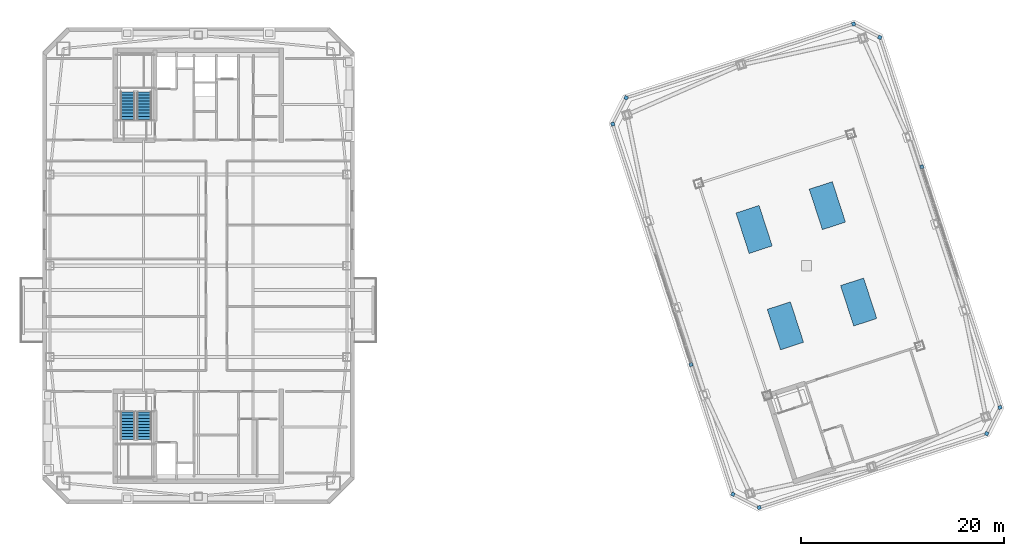
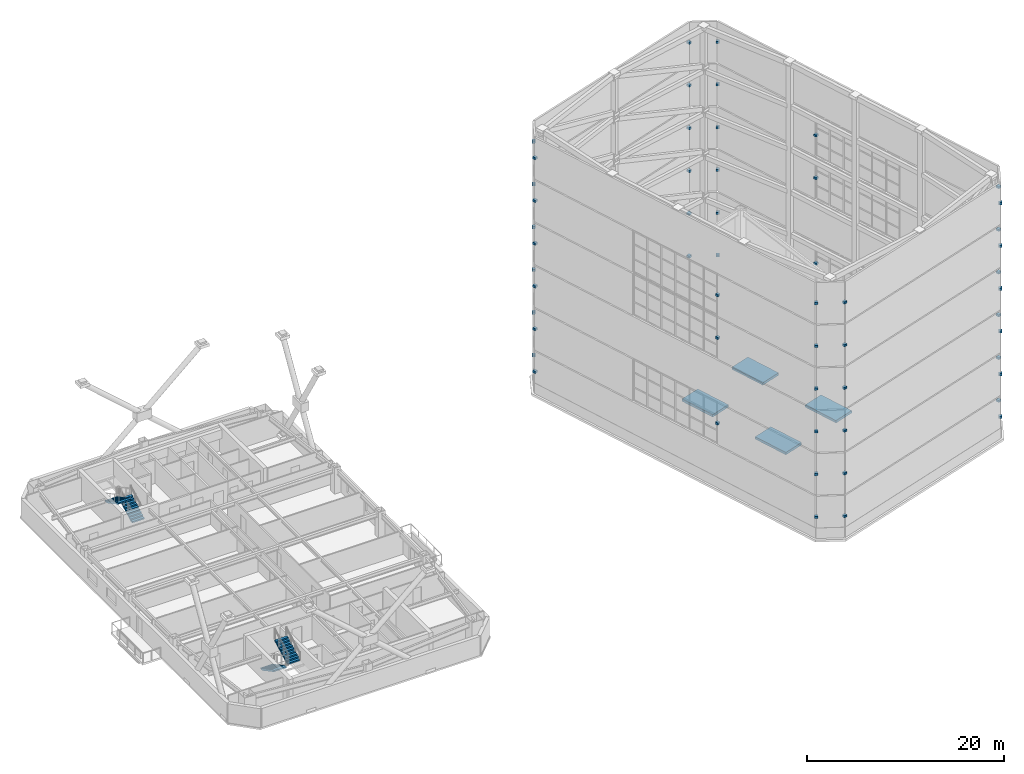
# One storey, part 52 of 56: 58 discrete accessories, 4 stair flights, 2 elements without a shape of their own.
"""IFC4 building model written with IfcOpenShell, lengths in metres."""

from ifc_helpers import new_model, si_unit, direction, frame, origin, origin_2d, place, context, subcontext, project, spatial, polyline, rectangle, outline, extrude, material, type_object, element, aggregate, save


model = new_model("IFC4")

# Units and contexts
model_context = context("Model", 3, precision=1e-05, world=origin(), true_north=direction((0.0, 1.0)))
body_context = subcontext(model_context, "Body", "Model", "MODEL_VIEW")
ifc_project = project(units=[si_unit("LENGTHUNIT", "METRE"), si_unit("AREAUNIT", "SQUARE_METRE"), si_unit("VOLUMEUNIT", "CUBIC_METRE"), si_unit("PLANEANGLEUNIT", "RADIAN"), si_unit("MASSUNIT", "GRAM", prefix="KILO")], contexts=[model_context])

# Site, building, storey
site_placement = place(None, origin())
site = spatial("IfcSite", under=ifc_project, at=site_placement, CompositionType="ELEMENT")
building_placement = place(site_placement, origin())
building = spatial("IfcBuilding", under=site, at=building_placement, Name="Qiaolan Cultural Towers", CompositionType="ELEMENT")
storey_placement = place(building_placement, frame((0.0, 0.0, 250.39990234375)))
storey = spatial("IfcBuildingStorey", under=building, at=storey_placement, Name="L68", CompositionType="ELEMENT", Elevation=250.39990234375)

# Stair, stair flights
ifc_material_1 = material(Name="Concrete C45", Category="concrete")
stair_type = type_object("IfcStairType", Name="STR-CORE-1500", PredefinedType="HALF_TURN_STAIR", material=ifc_material_1)
stair_1_placement = place(storey_placement, origin())
stair_1 = element("IfcStair", 1, at=stair_1_placement, inside=storey, type_object=stair_type, Name="L68 Smokeproof Exit Stair ST-W1", PredefinedType="HALF_TURN_STAIR")
ifc_material_2 = material(Name="Concrete C45", Category="concrete")
stair_flight_type = type_object("IfcStairFlightType", Name="STR-CORE-1500-FL", PredefinedType="STRAIGHT", material=ifc_material_2)
stair_flight_1_placement = place(storey_placement, frame((23.02001953125, 19.550048828125, 0.0), z_axis=(0.0, 0.0, 1.0), x_axis=(0.0, -1.0, 0.0)))
stair_flight_1 = element("IfcStairFlight", 2, at=stair_flight_1_placement, type_object=stair_flight_type, Name="ST-W1 flight 1", NumberOfRisers=10, NumberOfTreads=9, PredefinedType="STRAIGHT", RiserHeight=0.16, TreadLength=0.3, context=body_context, shape_type="SweptSolid", body=[
    extrude(outline(polyline([(0.0, 0.0), (0.0, 0.159912109375), (0.300048828125, 0.159912109375), (0.300048828125, 0.320068359375), (0.60009765625, 0.320068359375), (0.60009765625, 0.47998046875), (0.89990234375, 0.47998046875), (0.89990234375, 0.639892578125), (1.199951171875, 0.639892578125), (1.199951171875, 0.800048828125), (1.5, 0.800048828125), (1.5, 0.9599609375), (1.800048828125, 0.9599609375), (1.800048828125, 1.1201171875), (2.10009765625, 1.1201171875), (2.10009765625, 1.280029296875), (2.39990234375, 1.280029296875), (2.39990234375, 1.43994140625), (2.699951171875, 1.43994140625), (2.699951171875, 1.60009765625), (2.699951171875, 1.27001953125), (0.318603515625, 0.0), (0.0, 0.0)])), frame((0.0, 0.719970703125, 0.0), z_axis=(0.0, -1.0, 0.0), x_axis=(1.0, 0.0, 0.0)), (0.0, 0.0, 1.0), 1.43994140625),
])
stair_flight_2_placement = place(storey_placement, frame((24.659912109375, 16.85009765625, 1.60009765625), z_axis=(0.0, 0.0, 1.0), x_axis=(0.0, 1.0, 0.0)))
stair_flight_2 = element("IfcStairFlight", 3, at=stair_flight_2_placement, type_object=stair_flight_type, Name="ST-W1 flight 2", NumberOfRisers=10, NumberOfTreads=9, PredefinedType="STRAIGHT", RiserHeight=0.16, TreadLength=0.3, context=body_context, shape_type="SweptSolid", body=[
    extrude(outline(polyline([(0.0, 0.0), (0.0, 0.159912109375), (0.300048828125, 0.159912109375), (0.300048828125, 0.320068359375), (0.60009765625, 0.320068359375), (0.60009765625, 0.47998046875), (0.89990234375, 0.47998046875), (0.89990234375, 0.639892578125), (1.199951171875, 0.639892578125), (1.199951171875, 0.800048828125), (1.5, 0.800048828125), (1.5, 0.9599609375), (1.800048828125, 0.9599609375), (1.800048828125, 1.1201171875), (2.10009765625, 1.1201171875), (2.10009765625, 1.280029296875), (2.39990234375, 1.280029296875), (2.39990234375, 1.43994140625), (2.699951171875, 1.43994140625), (2.699951171875, 1.60009765625), (2.699951171875, 1.27001953125), (0.318603515625, 0.0), (0.0, 0.0)])), frame((0.0, 0.719970703125, 0.0), z_axis=(0.0, -1.0, 0.0), x_axis=(1.0, 0.0, 0.0)), (0.0, 0.0, 1.0), 1.43994140625),
])
aggregate(stair_1, [stair_flight_1, stair_flight_2])

stair_2_placement = place(storey_placement, origin())
stair_2 = element("IfcStair", 4, at=stair_2_placement, inside=storey, type_object=stair_type, Name="L68 Smokeproof Exit Stair ST-W2", PredefinedType="HALF_TURN_STAIR")
stair_flight_3_placement = place(storey_placement, frame((24.659912109375, 48.449951171875, 0.0), z_axis=(0.0, 0.0, 1.0), x_axis=(0.0, 1.0, 0.0)))
stair_flight_3 = element("IfcStairFlight", 5, at=stair_flight_3_placement, type_object=stair_flight_type, Name="ST-W2 flight 1", NumberOfRisers=10, NumberOfTreads=9, PredefinedType="STRAIGHT", RiserHeight=0.16, TreadLength=0.3, context=body_context, shape_type="SweptSolid", body=[
    extrude(outline(polyline([(0.0, 0.0), (0.0, 0.159912109375), (0.300048828125, 0.159912109375), (0.300048828125, 0.320068359375), (0.60009765625, 0.320068359375), (0.60009765625, 0.47998046875), (0.89990234375, 0.47998046875), (0.89990234375, 0.639892578125), (1.199951171875, 0.639892578125), (1.199951171875, 0.800048828125), (1.5, 0.800048828125), (1.5, 0.9599609375), (1.800048828125, 0.9599609375), (1.800048828125, 1.1201171875), (2.10009765625, 1.1201171875), (2.10009765625, 1.280029296875), (2.39990234375, 1.280029296875), (2.39990234375, 1.43994140625), (2.699951171875, 1.43994140625), (2.699951171875, 1.60009765625), (2.699951171875, 1.27001953125), (0.318603515625, 0.0), (0.0, 0.0)])), frame((0.0, 0.719970703125, 0.0), z_axis=(0.0, -1.0, 0.0), x_axis=(1.0, 0.0, 0.0)), (0.0, 0.0, 1.0), 1.43994140625),
])
stair_flight_4_placement = place(storey_placement, frame((23.02001953125, 51.14990234375, 1.60009765625), z_axis=(0.0, 0.0, 1.0), x_axis=(0.0, -1.0, 0.0)))
stair_flight_4 = element("IfcStairFlight", 6, at=stair_flight_4_placement, type_object=stair_flight_type, Name="ST-W2 flight 2", NumberOfRisers=10, NumberOfTreads=9, PredefinedType="STRAIGHT", RiserHeight=0.16, TreadLength=0.3, context=body_context, shape_type="SweptSolid", body=[
    extrude(outline(polyline([(0.0, 0.0), (0.0, 0.159912109375), (0.300048828125, 0.159912109375), (0.300048828125, 0.320068359375), (0.60009765625, 0.320068359375), (0.60009765625, 0.47998046875), (0.89990234375, 0.47998046875), (0.89990234375, 0.639892578125), (1.199951171875, 0.639892578125), (1.199951171875, 0.800048828125), (1.5, 0.800048828125), (1.5, 0.9599609375), (1.800048828125, 0.9599609375), (1.800048828125, 1.1201171875), (2.10009765625, 1.1201171875), (2.10009765625, 1.280029296875), (2.39990234375, 1.280029296875), (2.39990234375, 1.43994140625), (2.699951171875, 1.43994140625), (2.699951171875, 1.60009765625), (2.699951171875, 1.27001953125), (0.318603515625, 0.0), (0.0, 0.0)])), frame((0.0, 0.719970703125, 0.0), z_axis=(0.0, -1.0, 0.0), x_axis=(1.0, 0.0, 0.0)), (0.0, 0.0, 1.0), 1.43994140625),
])
aggregate(stair_2, [stair_flight_3, stair_flight_4])

# Discrete accessories
ifc_material_3 = material(Name="Stainless Steel S31608 Facade Anchor Bracket", Category="steel")
discrete_accessory_type_1 = type_object("IfcDiscreteAccessoryType", Name="ACC-BRK-SS", PredefinedType="BRACKET", material=ifc_material_3)
for number, where, z_axis, x_axis, name in (
    (7, (85.34423828125, 10.1435546875, 2.52001953125), (0.0, 0.0, 1.0), (0.951056505508, 0.309017027573, 0.0), "T2 Crown Louvre Support Bracket T1-1"),
    (8, (107.7890625, 17.4365234375, 2.52001953125), (0.0, 0.0, 1.0), (0.453990593046, 0.891006476647, 0.0), "T2 Crown Louvre Support Bracket T1-2"),
    (9, (109.105224609375, 20.01953125, 2.52001953125), (0.0, 0.0, 1.0), (-0.309017010974, 0.951056510902, 0.0), "T2 Crown Louvre Support Bracket T1-3"),
    (10, (97.239013671875, 56.540283203125, 2.52001953125), (0.0, 0.0, 1.0), (-0.891006334021, 0.453990872963, 0.0), "T2 Crown Louvre Support Bracket T1-4"),
    (11, (94.65576171875, 57.8564453125, 2.52001953125), (0.0, 0.0, 1.0), (-0.951056505508, -0.309017027573, 0.0), "T2 Crown Louvre Support Bracket T1-5"),
    (12, (72.2109375, 50.5634765625, 2.52001953125), (0.0, 0.0, 1.0), (-0.453990593046, -0.891006476647, 0.0), "T2 Crown Louvre Support Bracket T1-6"),
    (13, (70.894775390625, 47.98046875, 2.52001953125), (0.0, 0.0, 1.0), (0.309017010974, -0.951056510902, 0.0), "T2 Crown Louvre Support Bracket T1-7"),
    (14, (82.760986328125, 11.459716796875, 2.52001953125), (0.0, 0.0, 1.0), (0.891006334021, -0.453990872963, 0.0), "T2 Crown Louvre Support Bracket T1-8"),
    (15, (85.34423828125, 10.1435546875, 7.8203125), (0.0, 0.0, 1.0), (0.951056505508, 0.309017027573, 0.0), "T2 Crown Louvre Support Bracket T2-1"),
    (16, (107.7890625, 17.4365234375, 7.8203125), (0.0, 0.0, 1.0), (0.453990593046, 0.891006476647, 0.0), "T2 Crown Louvre Support Bracket T2-2"),
    (17, (109.105224609375, 20.01953125, 7.8203125), (0.0, 0.0, 1.0), (-0.309017010974, 0.951056510902, 0.0), "T2 Crown Louvre Support Bracket T2-3L"),
    (18, (101.39208984375, 43.758056640625, 7.8203125), (0.0, 0.0, 1.0), (-0.309017010974, 0.951056510902, 0.0), "T2 Crown Louvre Support Bracket T2-3R"),
    (19, (97.239013671875, 56.540283203125, 7.8203125), (0.0, 0.0, 1.0), (-0.891006334021, 0.453990872963, 0.0), "T2 Crown Louvre Support Bracket T2-4"),
    (20, (94.65576171875, 57.8564453125, 7.8203125), (0.0, 0.0, 1.0), (-0.951056505508, -0.309017027573, 0.0), "T2 Crown Louvre Support Bracket T2-5"),
    (21, (72.2109375, 50.5634765625, 7.8203125), (0.0, 0.0, 1.0), (-0.453990593046, -0.891006476647, 0.0), "T2 Crown Louvre Support Bracket T2-6"),
    (22, (70.894775390625, 47.98046875, 7.8203125), (0.0, 0.0, 1.0), (0.309017010974, -0.951056510902, 0.0), "T2 Crown Louvre Support Bracket T2-7L"),
    (23, (78.60791015625, 24.241943359375, 7.8203125), (0.0, 0.0, 1.0), (0.309017010974, -0.951056510902, 0.0), "T2 Crown Louvre Support Bracket T2-7R"),
    (24, (82.760986328125, 11.459716796875, 7.8203125), (0.0, 0.0, 1.0), (0.891006334021, -0.453990872963, 0.0), "T2 Crown Louvre Support Bracket T2-8"),
    (25, (85.34423828125, 10.1435546875, 13.1201171875), (0.0, 0.0, 1.0), (0.951056505508, 0.309017027573, 0.0), "T2 Crown Louvre Support Bracket T3-1"),
    (26, (107.7890625, 17.4365234375, 13.1201171875), (0.0, 0.0, 1.0), (0.453990593046, 0.891006476647, 0.0), "T2 Crown Louvre Support Bracket T3-2"),
    (27, (109.105224609375, 20.01953125, 13.1201171875), (0.0, 0.0, 1.0), (-0.309017010974, 0.951056510902, 0.0), "T2 Crown Louvre Support Bracket T3-3"),
    (28, (97.239013671875, 56.540283203125, 13.1201171875), (0.0, 0.0, 1.0), (-0.891006334021, 0.453990872963, 0.0), "T2 Crown Louvre Support Bracket T3-4"),
    (29, (94.65576171875, 57.8564453125, 13.1201171875), (0.0, 0.0, 1.0), (-0.951056505508, -0.309017027573, 0.0), "T2 Crown Louvre Support Bracket T3-5"),
    (30, (72.2109375, 50.5634765625, 13.1201171875), (0.0, 0.0, 1.0), (-0.453990593046, -0.891006476647, 0.0), "T2 Crown Louvre Support Bracket T3-6"),
    (31, (70.894775390625, 47.98046875, 13.1201171875), (0.0, 0.0, 1.0), (0.309017010974, -0.951056510902, 0.0), "T2 Crown Louvre Support Bracket T3-7"),
    (32, (82.760986328125, 11.459716796875, 13.1201171875), (0.0, 0.0, 1.0), (0.891006334021, -0.453990872963, 0.0), "T2 Crown Louvre Support Bracket T3-8"),
    (33, (85.34423828125, 10.1435546875, 18.419921875), (0.0, 0.0, 1.0), (0.951056505508, 0.309017027573, 0.0), "T2 Crown Louvre Support Bracket T4-1"),
    (34, (107.7890625, 17.4365234375, 18.419921875), (0.0, 0.0, 1.0), (0.453990593046, 0.891006476647, 0.0), "T2 Crown Louvre Support Bracket T4-2"),
    (35, (109.105224609375, 20.01953125, 18.419921875), (0.0, 0.0, 1.0), (-0.309017010974, 0.951056510902, 0.0), "T2 Crown Louvre Support Bracket T4-3L"),
    (36, (101.39208984375, 43.758056640625, 18.419921875), (0.0, 0.0, 1.0), (-0.309017010974, 0.951056510902, 0.0), "T2 Crown Louvre Support Bracket T4-3R"),
    (37, (97.239013671875, 56.540283203125, 18.419921875), (0.0, 0.0, 1.0), (-0.891006334021, 0.453990872963, 0.0), "T2 Crown Louvre Support Bracket T4-4"),
    (38, (94.65576171875, 57.8564453125, 18.419921875), (0.0, 0.0, 1.0), (-0.951056505508, -0.309017027573, 0.0), "T2 Crown Louvre Support Bracket T4-5"),
    (39, (72.2109375, 50.5634765625, 18.419921875), (0.0, 0.0, 1.0), (-0.453990593046, -0.891006476647, 0.0), "T2 Crown Louvre Support Bracket T4-6"),
    (40, (70.894775390625, 47.98046875, 18.419921875), (0.0, 0.0, 1.0), (0.309017010974, -0.951056510902, 0.0), "T2 Crown Louvre Support Bracket T4-7L"),
    (41, (78.60791015625, 24.241943359375, 18.419921875), (0.0, 0.0, 1.0), (0.309017010974, -0.951056510902, 0.0), "T2 Crown Louvre Support Bracket T4-7R"),
    (42, (82.760986328125, 11.459716796875, 18.419921875), (0.0, 0.0, 1.0), (0.891006334021, -0.453990872963, 0.0), "T2 Crown Louvre Support Bracket T4-8"),
    (43, (85.34423828125, 10.1435546875, 23.72021484375), (0.0, 0.0, 1.0), (0.951056505508, 0.309017027573, 0.0), "T2 Crown Louvre Support Bracket T5-1"),
    (44, (107.7890625, 17.4365234375, 23.72021484375), (0.0, 0.0, 1.0), (0.453990593046, 0.891006476647, 0.0), "T2 Crown Louvre Support Bracket T5-2"),
    (45, (109.105224609375, 20.01953125, 23.72021484375), (0.0, 0.0, 1.0), (-0.309017010974, 0.951056510902, 0.0), "T2 Crown Louvre Support Bracket T5-3L"),
    (46, (101.39208984375, 43.758056640625, 23.72021484375), (0.0, 0.0, 1.0), (-0.309017010974, 0.951056510902, 0.0), "T2 Crown Louvre Support Bracket T5-3R"),
    (47, (97.239013671875, 56.540283203125, 23.72021484375), (0.0, 0.0, 1.0), (-0.891006334021, 0.453990872963, 0.0), "T2 Crown Louvre Support Bracket T5-4"),
    (48, (94.65576171875, 57.8564453125, 23.72021484375), (0.0, 0.0, 1.0), (-0.951056505508, -0.309017027573, 0.0), "T2 Crown Louvre Support Bracket T5-5"),
    (49, (72.2109375, 50.5634765625, 23.72021484375), (0.0, 0.0, 1.0), (-0.453990593046, -0.891006476647, 0.0), "T2 Crown Louvre Support Bracket T5-6"),
    (50, (70.894775390625, 47.98046875, 23.72021484375), (0.0, 0.0, 1.0), (0.309017010974, -0.951056510902, 0.0), "T2 Crown Louvre Support Bracket T5-7L"),
    (51, (78.60791015625, 24.241943359375, 23.72021484375), (0.0, 0.0, 1.0), (0.309017010974, -0.951056510902, 0.0), "T2 Crown Louvre Support Bracket T5-7R"),
    (52, (82.760986328125, 11.459716796875, 23.72021484375), (0.0, 0.0, 1.0), (0.891006334021, -0.453990872963, 0.0), "T2 Crown Louvre Support Bracket T5-8"),
    (53, (85.34423828125, 10.1435546875, 29.02001953125), (0.0, 0.0, 1.0), (0.951056505508, 0.309017027573, 0.0), "T2 Crown Louvre Support Bracket T6-1"),
    (54, (107.7890625, 17.4365234375, 29.02001953125), (0.0, 0.0, 1.0), (0.453990593046, 0.891006476647, 0.0), "T2 Crown Louvre Support Bracket T6-2"),
    (55, (109.105224609375, 20.01953125, 29.02001953125), (0.0, 0.0, 1.0), (-0.309017010974, 0.951056510902, 0.0), "T2 Crown Louvre Support Bracket T6-3"),
    (56, (97.239013671875, 56.540283203125, 29.02001953125), (0.0, 0.0, 1.0), (-0.891006334021, 0.453990872963, 0.0), "T2 Crown Louvre Support Bracket T6-4"),
    (57, (94.65576171875, 57.8564453125, 29.02001953125), (0.0, 0.0, 1.0), (-0.951056505508, -0.309017027573, 0.0), "T2 Crown Louvre Support Bracket T6-5"),
    (58, (72.2109375, 50.5634765625, 29.02001953125), (0.0, 0.0, 1.0), (-0.453990593046, -0.891006476647, 0.0), "T2 Crown Louvre Support Bracket T6-6"),
    (59, (70.894775390625, 47.98046875, 29.02001953125), (0.0, 0.0, 1.0), (0.309017010974, -0.951056510902, 0.0), "T2 Crown Louvre Support Bracket T6-7"),
    (60, (82.760986328125, 11.459716796875, 29.02001953125), (0.0, 0.0, 1.0), (0.891006334021, -0.453990872963, 0.0), "T2 Crown Louvre Support Bracket T6-8"),
):
    element("IfcDiscreteAccessory", number, at=place(storey_placement, frame(where, z_axis=z_axis, x_axis=x_axis)), inside=storey, type_object=discrete_accessory_type_1, Name=name, PredefinedType="BRACKET", context=body_context, shape_type="SweptSolid", body=[
        extrude(rectangle(XDim=0.35009765625, YDim=0.35009765625, at=origin_2d()), origin(), (0.0, 0.0, 1.0), 0.260009765625),
    ])
ifc_material_4 = material(Name="Concrete C35 Acoustic Equipment Inertia Plinth", Category="concrete")
discrete_accessory_type_2 = type_object("IfcDiscreteAccessoryType", Name="ACC-MEP-SKID", PredefinedType="USERDEFINED", material=ifc_material_4)
for number, where, z_axis, x_axis, name in (
    (61, (87.93115234375, 28.070556640625, 0.0), (0.0, 0.0, 1.0), (0.951056516295, 0.309016994375, 0.0), "T2 Crown Heat-Recovery Chiller Inertia Plinth"),
    (62, (95.1591796875, 30.4189453125, 0.0), (0.0, 0.0, 1.0), (0.951056516295, 0.309016994375, 0.0), "T2 Crown Cooling Tower Acoustic Plinth"),
    (63, (84.8408203125, 37.5810546875, 0.0), (0.0, 0.0, 1.0), (0.951056516295, 0.309016994375, 0.0), "T2 Crown Lift Machine & Pressurization Fan Plinth"),
    (64, (92.06884765625, 39.929443359375, 0.0), (0.0, 0.0, 1.0), (0.951056516295, 0.309016994375, 0.0), "T2 Crown Emergency Smoke-Extract Fan Plinth"),
):
    element("IfcDiscreteAccessory", number, at=place(storey_placement, frame(where, z_axis=z_axis, x_axis=x_axis)), inside=storey, type_object=discrete_accessory_type_2, Name=name, ObjectType="EQUIPMENT_PLINTH", PredefinedType="USERDEFINED", context=body_context, shape_type="SweptSolid", body=[
        extrude(rectangle(XDim=2.39990234375, YDim=4.199951171875, at=origin_2d()), origin(), (0.0, 0.0, 1.0), 0.300048828125),
    ])

save(model, "model.ifc")
